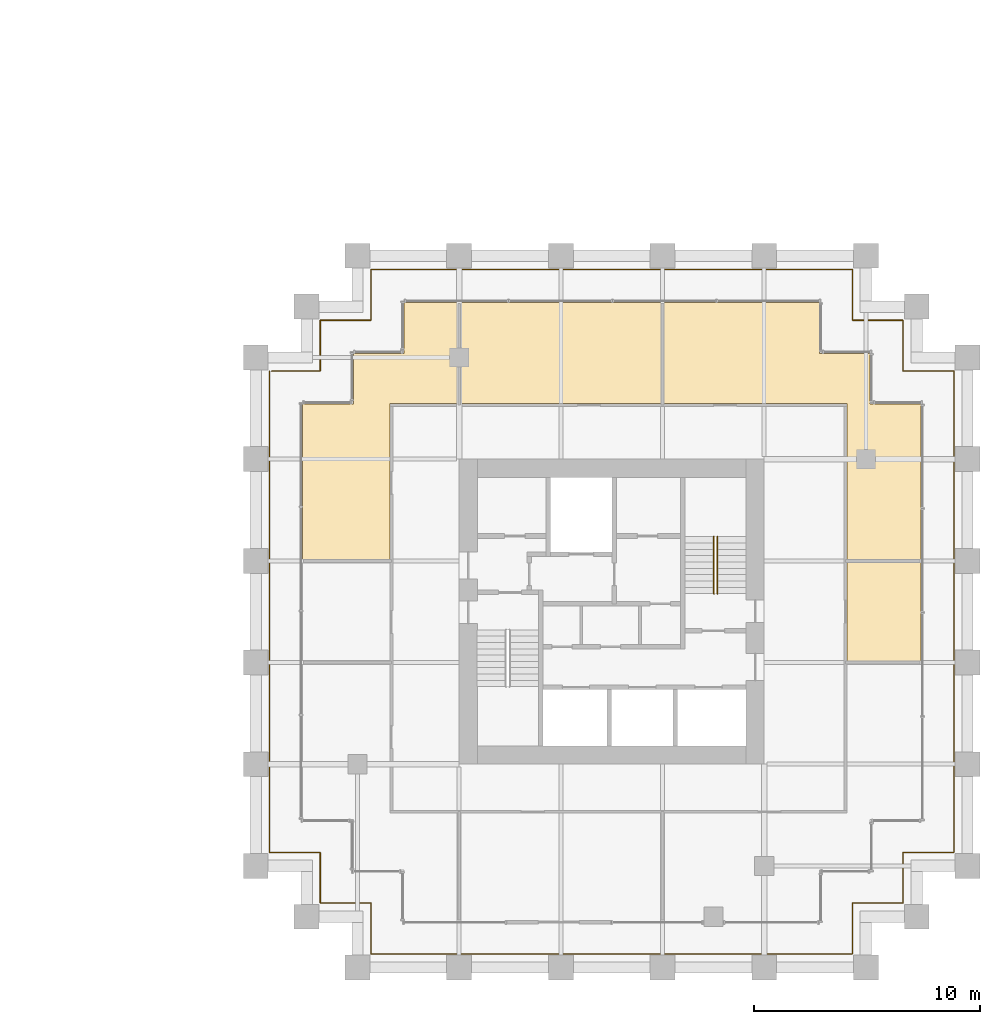
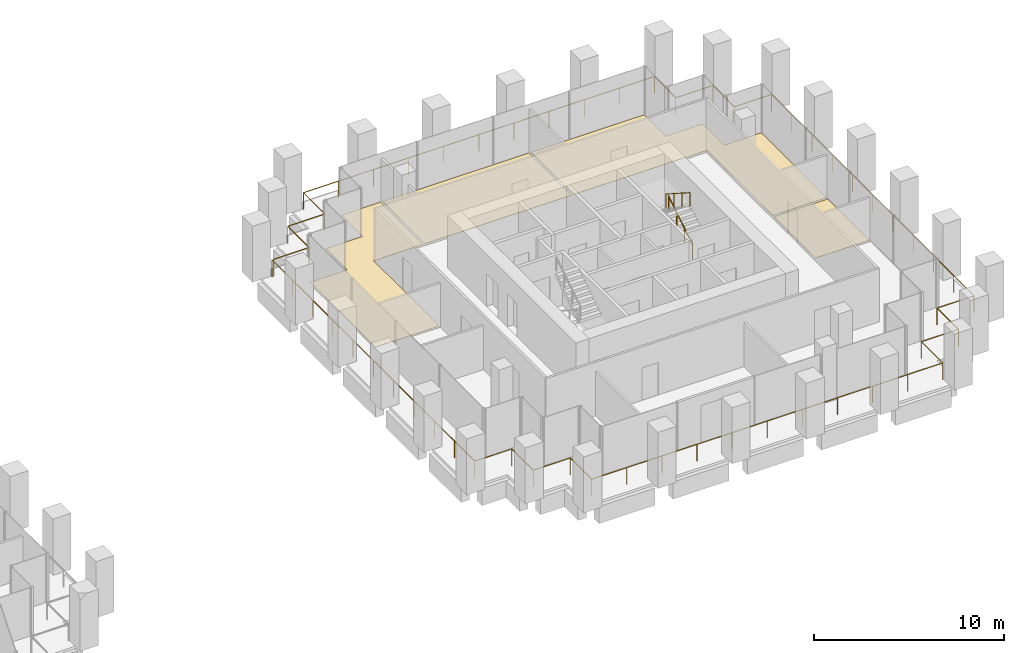
# One storey, part 56 of 56: 4 coverings, 3 railings.
"""IFC4 building model written with IfcOpenShell, lengths in metres."""

import ifcopenshell
import ifcopenshell.guid

model = None  # the IFC model being written
_history = None  # IfcOwnerHistory: only IFC2X3 demands one
_inside = {}  # id of a spatial element -> (the spatial element, [elements in it])
_under = {}  # id of a project, library or spatial element -> (it, [spatial elements below it])
_declared = {}  # id of a project -> (the project, [libraries it declares])
_typed = {}  # id of a type object -> (the type object, [elements of that type])
_made_of = {}  # id of a material, layer set ... -> (it, [elements and type objects made of it])


def new_model(schema):
    """Start an empty IFC model of exactly this schema.

    Asked for "IFC4X3", IfcOpenShell would pick the latest addendum, in which some entities
    have other attributes; the version numbers below select the first issue.
    IFC2X3 requires an IfcOwnerHistory on every rooted entity: one is made here for all.
    """
    global model, _history
    if schema == "IFC4X3":
        model = ifcopenshell.file(schema_version=(4, 3, 0, 0))
    else:
        model = ifcopenshell.file(schema=schema)
    _inside.clear()
    _under.clear()
    _declared.clear()
    _typed.clear()
    _made_of.clear()
    _history = None
    if model.schema == "IFC2X3":
        org = make("IfcOrganization", Name="unknown")
        user = make(
            "IfcPersonAndOrganization",
            ThePerson=make("IfcPerson", FamilyName="unknown"),
            TheOrganization=org,
        )
        app = make(
            "IfcApplication",
            ApplicationDeveloper=org,
            Version="unknown",
            ApplicationFullName="unknown",
            ApplicationIdentifier="unknown",
        )
        _history = make(
            "IfcOwnerHistory",
            OwningUser=user,
            OwningApplication=app,
            ChangeAction="ADDED",
            CreationDate=0,
        )
    return model


def make(cls, **values):
    """One entity of the class cls with the attributes given. An attribute that is None is left unset."""
    return model.create_entity(
        cls, **{name: value for name, value in values.items() if value is not None}
    )


def rooted(cls, **values):
    """An entity with a GlobalId (a new one), such as an element, a storey or a relation."""
    return make(cls, GlobalId=ifcopenshell.guid.new(), OwnerHistory=_history, **values)


def si_unit(unit_type, name, prefix=None):
    """IfcSIUnit, for example si_unit("LENGTHUNIT", "METRE", prefix="MILLI")."""
    return make("IfcSIUnit", UnitType=unit_type, Prefix=prefix, Name=name)


def assignment(units):
    """IfcUnitAssignment: the units of a project."""
    return None if units is None else make("IfcUnitAssignment", Units=units)


def point(xyz):
    """IfcCartesianPoint."""
    return None if xyz is None else make("IfcCartesianPoint", Coordinates=xyz)


def direction(xyz):
    """IfcDirection."""
    return None if xyz is None else make("IfcDirection", DirectionRatios=xyz)


def frame(location, z_axis=None, x_axis=None):
    """IfcAxis2Placement3D, a coordinate frame: its origin and axes. An axis left out is left unset."""
    return make(
        "IfcAxis2Placement3D",
        Location=point(location),
        Axis=direction(z_axis),
        RefDirection=direction(x_axis),
    )


def frame_2d(location, x_axis=None):
    """IfcAxis2Placement2D, a coordinate frame in the plane: its origin and x axis."""
    return make(
        "IfcAxis2Placement2D", Location=point(location), RefDirection=direction(x_axis)
    )


def origin():
    """The frame at (0, 0, 0) with its axes left unset."""
    return frame((0.0, 0.0, 0.0))


def origin_2d():
    """The frame at (0, 0) in the plane with its x axis left unset."""
    return frame_2d((0.0, 0.0))


def place(relative_to, where):
    """IfcLocalPlacement: puts the frame where relative to a parent placement (None: the world)."""
    return make(
        "IfcLocalPlacement", PlacementRelTo=relative_to, RelativePlacement=where
    )


def context(
    kind, dimensions, precision=None, world=None, true_north=None, identifier=None
):
    """IfcGeometricRepresentationContext, for example the 3D "Model" context."""
    return make(
        "IfcGeometricRepresentationContext",
        ContextIdentifier=identifier,
        ContextType=kind,
        CoordinateSpaceDimension=dimensions,
        Precision=precision,
        WorldCoordinateSystem=world,
        TrueNorth=true_north,
    )


def subcontext(parent, identifier, kind, view, scale=None):
    """IfcGeometricRepresentationSubContext, for example "Body" below "Model"."""
    return make(
        "IfcGeometricRepresentationSubContext",
        ContextIdentifier=identifier,
        ContextType=kind,
        ParentContext=parent,
        TargetScale=scale,
        TargetView=view,
    )


def project(units=None, contexts=None):
    """IfcProject with its units and contexts."""
    return rooted(
        "IfcProject",
        Name="project",
        RepresentationContexts=contexts,
        UnitsInContext=assignment(units),
    )


def spatial(cls, under=None, at=None, **own):
    """A site, building, storey or space (cls), placed at a placement, below another one or the project."""
    s = rooted(cls, ObjectPlacement=at, **own)
    if under is not None:
        _under.setdefault(under.id(), (under, []))[1].append(s)
    return s


def polyline(points):
    """IfcPolyline through the points."""
    return make("IfcPolyline", Points=[point(p) for p in points])


def profile(cls, at=None, kind="AREA", **sizes):
    """A parametric profile (cls). Its sizes go by their IFC names, for example OverallWidth=200.0."""
    return make(cls, ProfileType=kind, Position=at, **sizes)


def circle(**sizes):
    """IfcCircleProfileDef."""
    return profile("IfcCircleProfileDef", **sizes)


def outline(outer, holes=None, kind="AREA"):
    """IfcArbitraryClosedProfileDef: a profile drawn as a closed curve; with holes, ...WithVoids."""
    if holes is None:
        return make("IfcArbitraryClosedProfileDef", ProfileType=kind, OuterCurve=outer)
    return make(
        "IfcArbitraryProfileDefWithVoids",
        ProfileType=kind,
        OuterCurve=outer,
        InnerCurves=holes,
    )


def extrude(swept, where, along, depth):
    """IfcExtrudedAreaSolid: the profile swept, set in the frame where, extruded along a direction by depth."""
    return make(
        "IfcExtrudedAreaSolid",
        SweptArea=swept,
        Position=where,
        ExtrudedDirection=direction(along),
        Depth=depth,
    )


def shape(context_of_items, identifier, shape_type, items):
    """IfcShapeRepresentation: the items that make up one representation, for example the "Body"."""
    return make(
        "IfcShapeRepresentation",
        ContextOfItems=context_of_items,
        RepresentationIdentifier=identifier,
        RepresentationType=shape_type,
        Items=items,
    )


def source(mapping_origin, context_of_items, identifier, shape_type, items):
    """IfcRepresentationMap: a shape defined once, which mapped items show again and again."""
    return make(
        "IfcRepresentationMap",
        MappingOrigin=mapping_origin,
        MappedRepresentation=shape(context_of_items, identifier, shape_type, items),
    )


def transform(
    local_origin,
    x_axis=None,
    y_axis=None,
    z_axis=None,
    scale=None,
    scale2=None,
    scale3=None,
    uniform=True,
):
    """IfcCartesianTransformationOperator3D, or its non-uniform kind. x_axis, y_axis, z_axis: its Axis1, 2, 3."""
    if uniform:
        return make(
            "IfcCartesianTransformationOperator3D",
            Axis1=direction(x_axis),
            Axis2=direction(y_axis),
            LocalOrigin=point(local_origin),
            Scale=scale,
            Axis3=direction(z_axis),
        )
    return make(
        "IfcCartesianTransformationOperator3DnonUniform",
        Axis1=direction(x_axis),
        Axis2=direction(y_axis),
        LocalOrigin=point(local_origin),
        Scale=scale,
        Axis3=direction(z_axis),
        Scale2=scale2,
        Scale3=scale3,
    )


def mapped(mapping_source, mapping_target):
    """IfcMappedItem: shows the shape of a source again, moved by a transform."""
    return make(
        "IfcMappedItem", MappingSource=mapping_source, MappingTarget=mapping_target
    )


def material(Name=None, Category=None):
    """IfcMaterial."""
    return make("IfcMaterial", Name=Name, Category=Category)


def layer(
    of_material, thickness, ventilated=None, Name=None, Category=None, Priority=None
):
    """IfcMaterialLayer: one layer of a wall or slab, of a material (None: an air gap)."""
    return make(
        "IfcMaterialLayer",
        Material=of_material,
        LayerThickness=thickness,
        IsVentilated=ventilated,
        Name=Name,
        Category=Category,
        Priority=Priority,
    )


def layer_set(layers, Name=None):
    """IfcMaterialLayerSet."""
    return make("IfcMaterialLayerSet", MaterialLayers=layers, LayerSetName=Name)


def made_of(thing, what):
    """Note that an element or type object is made of a material, layer set ...; save() writes the relation."""
    if what is not None:
        _made_of.setdefault(what.id(), (what, []))[1].append(thing)
    return thing


def type_object(cls, material=None, **own):
    """A type object (cls), such as IfcWallType, which elements share."""
    return made_of(rooted(cls, **own), material)


def element(
    cls,
    number,
    at=None,
    inside=None,
    cuts=None,
    type_object=None,
    material=None,
    context=None,
    identifier="Body",
    shape_type=None,
    held_by="IfcProductDefinitionShape",
    body=None,
    shapes=None,
    **own,
):
    """One element of the class cls, such as IfcWall. Its Tag is "e" and its number.

    at: its placement. inside: the storey or other place that contains it. cuts: it is an
    opening in that element (IfcRelVoidsElement). A single representation is given by context,
    identifier, shape_type and body (its items); several are given by shapes. held_by: the class
    of the entity that holds the representations. save() writes the other relations.
    """
    e = rooted(cls, Tag="e%d" % number, ObjectPlacement=at, **own)
    if body is not None:
        shapes = [shape(context, identifier, shape_type, body)]
    if shapes is not None:
        e.Representation = make(held_by, Representations=shapes)
    if inside is not None:
        _inside.setdefault(inside.id(), (inside, []))[1].append(e)
    if cuts is not None:
        rooted(
            "IfcRelVoidsElement", RelatingBuildingElement=cuts, RelatedOpeningElement=e
        )
    if type_object is not None:
        _typed.setdefault(type_object.id(), (type_object, []))[1].append(e)
    return made_of(e, material)


def aggregate(whole, parts):
    """IfcRelAggregates: a whole, such as a stair, and the parts it consists of."""
    return rooted("IfcRelAggregates", RelatingObject=whole, RelatedObjects=parts)


def save(model, path):
    """Write the relations noted so far, then the file.

    IfcRelAggregates (storeys below a building ...), IfcRelContainedInSpatialStructure (elements
    in a storey), IfcRelDefinesByType, IfcRelAssociatesMaterial and IfcRelDeclares: one each for
    every whole, place, type object, material and project.
    """
    for whole, parts in _under.values():
        aggregate(whole, parts)
    for where, things in _inside.values():
        rooted(
            "IfcRelContainedInSpatialStructure",
            RelatedElements=things,
            RelatingStructure=where,
        )
    for kind, things in _typed.values():
        rooted("IfcRelDefinesByType", RelatedObjects=things, RelatingType=kind)
    for what, things in _made_of.values():
        rooted("IfcRelAssociatesMaterial", RelatedObjects=things, RelatingMaterial=what)
    for by, libraries in _declared.values():
        rooted("IfcRelDeclares", RelatingContext=by, RelatedDefinitions=libraries)
    model.write(path)


model = new_model("IFC4")

# Units and contexts
model_context = context("Model", 3, precision=1e-05, world=origin(), true_north=direction((0.0, 1.0)))
body_context = subcontext(model_context, "Body", "Model", "MODEL_VIEW")
ifc_project = project(units=[si_unit("LENGTHUNIT", "METRE"), si_unit("AREAUNIT", "SQUARE_METRE"), si_unit("VOLUMEUNIT", "CUBIC_METRE"), si_unit("PLANEANGLEUNIT", "RADIAN"), si_unit("MASSUNIT", "GRAM", prefix="KILO")], contexts=[model_context])

# Site, building, storey
site_placement = place(None, origin())
site = spatial("IfcSite", under=ifc_project, at=site_placement, CompositionType="ELEMENT")
building_placement = place(site_placement, origin())
building = spatial("IfcBuilding", under=site, at=building_placement, Name="Altepetl Exchange Towers", CompositionType="ELEMENT")
storey_placement = place(building_placement, frame((0.0, 0.0, 76.199951171875)))
storey = spatial("IfcBuildingStorey", under=building, at=storey_placement, Name="L18", CompositionType="ELEMENT", Elevation=76.199951171875)

# Coverings
ifc_material_1 = material(Name="Carpet tile")
ifc_layer = layer(ifc_material_1, 0.02001953125)
ifc_layer_set = layer_set([ifc_layer], Name="Carpet tile")
covering_type = type_object("IfcCoveringType", Name="Carpet tile floor", PredefinedType="FLOORING", material=ifc_layer_set)
covering_1_placement = place(storey_placement, origin())
element("IfcCovering", 1, at=covering_1_placement, inside=storey, type_object=covering_type, Name="Print room floor finish B18.04", PredefinedType="FLOORING", context=body_context, shape_type="SweptSolid", body=[
    extrude(outline(polyline([(123.9375, 44.9375), (120.66259765625, 44.9375), (120.66259765625, 40.5625), (123.9375, 40.5625), (123.9375, 44.9375)])), origin(), (0.0, 0.0, 1.0), 0.02001953125),
])
covering_2_placement = place(storey_placement, origin())
element("IfcCovering", 2, at=covering_2_placement, inside=storey, type_object=covering_type, Name="Open office floor finish B18.05", PredefinedType="FLOORING", context=body_context, shape_type="SweptSolid", body=[
    extrude(outline(polyline([(112.5625, 56.4375), (112.5625, 51.96240234375), (120.66259765625, 51.96240234375), (120.66259765625, 45.0625), (123.9375, 45.0625), (123.9375, 51.9375), (121.6875, 51.9375), (121.6875, 54.1875), (119.4375, 54.1875), (119.4375, 56.4375), (112.5625, 56.4375)])), origin(), (0.0, 0.0, 1.0), 0.02001953125),
])
covering_3_placement = place(storey_placement, origin())
element("IfcCovering", 3, at=covering_3_placement, inside=storey, type_object=covering_type, Name="Print room floor finish B18.06", PredefinedType="FLOORING", context=body_context, shape_type="SweptSolid", body=[
    extrude(outline(polyline([(103.5625, 56.4375), (103.5625, 51.96240234375), (112.4375, 51.96240234375), (112.4375, 56.4375), (103.5625, 56.4375)])), origin(), (0.0, 0.0, 1.0), 0.02001953125),
])
covering_4_placement = place(storey_placement, origin())
element("IfcCovering", 4, at=covering_4_placement, inside=storey, type_object=covering_type, Name="Huddle room floor finish B18.07", PredefinedType="FLOORING", context=body_context, shape_type="SweptSolid", body=[
    extrude(outline(polyline([(101.0625, 54.1875), (98.8125, 54.1875), (98.8125, 51.9375), (96.5625, 51.9375), (96.5625, 45.0625), (100.4375, 45.0625), (100.4375, 51.96240234375), (103.4375, 51.96240234375), (103.4375, 56.4375), (101.0625, 56.4375), (101.0625, 54.1875)])), origin(), (0.0, 0.0, 1.0), 0.02001953125),
])

# Railings
ifc_material_2 = material(Name="Steel S355", Category="steel")
railing_type_1 = type_object("IfcRailingType", Name="Guard 1100 steel posts and rail", PredefinedType="GUARDRAIL", material=ifc_material_2)
shared_shape_1 = source(origin(), body_context, "Body", "SweptSolid", [
    extrude(circle(Radius=0.02099609375, at=origin_2d()), origin(), (0.0, 0.0, 1.0), 1.052001953125),
])
railing_1_placement = place(storey_placement, frame((95.10009765625, 53.39990234375, 0.0)))
element("IfcRailing", 5, at=railing_1_placement, inside=storey, type_object=railing_type_1, Name="Loggia guard", PredefinedType="GUARDRAIL", context=body_context, shape_type="SweptSolid", body=[
    extrude(circle(Radius=0.02392578125, at=origin_2d()), frame((0.0, 0.0, 1.076171875), z_axis=(0.0, -1.0, 0.0), x_axis=(1.0, 0.0, 0.0)), (0.0, 0.0, 1.0), 21.2998046875),
    extrude(circle(Radius=0.02392578125, at=origin_2d()), frame((0.0, -21.2998046875, 1.076171875), z_axis=(1.0, 0.0, 0.0), x_axis=(0.0, 1.0, 0.0)), (0.0, 0.0, 1.0), 2.25),
    extrude(circle(Radius=0.02392578125, at=origin_2d()), frame((2.25, -21.2998046875, 1.076171875), z_axis=(0.0, -1.0, 0.0), x_axis=(1.0, 0.0, 0.0)), (0.0, 0.0, 1.0), 2.25),
    extrude(circle(Radius=0.02392578125, at=origin_2d()), frame((2.25, -23.5498046875, 1.076171875), z_axis=(1.0, 0.0, 0.0), x_axis=(0.0, 1.0, 0.0)), (0.0, 0.0, 1.0), 2.25),
    extrude(circle(Radius=0.02392578125, at=origin_2d()), frame((4.5, -23.5498046875, 1.076171875), z_axis=(0.0, -1.0, 0.0), x_axis=(1.0, 0.0, 0.0)), (0.0, 0.0, 1.0), 2.25),
    extrude(circle(Radius=0.02392578125, at=origin_2d()), frame((4.5, -25.7998046875, 1.076171875), z_axis=(1.0, 0.0, 0.0), x_axis=(0.0, 1.0, 0.0)), (0.0, 0.0, 1.0), 21.2998046875),
    extrude(circle(Radius=0.02392578125, at=origin_2d()), frame((25.7998046875, -25.7998046875, 1.076171875), z_axis=(0.0, 1.0, 0.0), x_axis=(-1.0, 0.0, 0.0)), (0.0, 0.0, 1.0), 2.25),
    extrude(circle(Radius=0.02392578125, at=origin_2d()), frame((25.7998046875, -23.5498046875, 1.076171875), z_axis=(1.0, 0.0, 0.0), x_axis=(0.0, 1.0, 0.0)), (0.0, 0.0, 1.0), 2.25),
    extrude(circle(Radius=0.02392578125, at=origin_2d()), frame((28.0498046875, -23.5498046875, 1.076171875), z_axis=(0.0, 1.0, 0.0), x_axis=(-1.0, 0.0, 0.0)), (0.0, 0.0, 1.0), 2.25),
    extrude(circle(Radius=0.02392578125, at=origin_2d()), frame((28.0498046875, -21.2998046875, 1.076171875), z_axis=(1.0, 0.0, 0.0), x_axis=(0.0, 1.0, 0.0)), (0.0, 0.0, 1.0), 2.25),
    extrude(circle(Radius=0.02392578125, at=origin_2d()), frame((30.2998046875, -21.2998046875, 1.076171875), z_axis=(0.0, 1.0, 0.0), x_axis=(-1.0, 0.0, 0.0)), (0.0, 0.0, 1.0), 21.2998046875),
    extrude(circle(Radius=0.02392578125, at=origin_2d()), frame((30.2998046875, 0.0, 1.076171875), z_axis=(-1.0, 0.0, 0.0), x_axis=(0.0, -1.0, 0.0)), (0.0, 0.0, 1.0), 2.25),
    extrude(circle(Radius=0.02392578125, at=origin_2d()), frame((28.0498046875, 0.0, 1.076171875), z_axis=(0.0, 1.0, 0.0), x_axis=(-1.0, 0.0, 0.0)), (0.0, 0.0, 1.0), 2.25),
    extrude(circle(Radius=0.02392578125, at=origin_2d()), frame((28.0498046875, 2.25, 1.076171875), z_axis=(-1.0, 0.0, 0.0), x_axis=(0.0, -1.0, 0.0)), (0.0, 0.0, 1.0), 2.25),
    extrude(circle(Radius=0.02392578125, at=origin_2d()), frame((25.7998046875, 2.25, 1.076171875), z_axis=(0.0, 1.0, 0.0), x_axis=(-1.0, 0.0, 0.0)), (0.0, 0.0, 1.0), 2.25),
    extrude(circle(Radius=0.02392578125, at=origin_2d()), frame((25.7998046875, 4.5, 1.076171875), z_axis=(-1.0, 0.0, 0.0), x_axis=(0.0, -1.0, 0.0)), (0.0, 0.0, 1.0), 21.2998046875),
    extrude(circle(Radius=0.02392578125, at=origin_2d()), frame((4.5, 4.5, 1.076171875), z_axis=(0.0, -1.0, 0.0), x_axis=(1.0, 0.0, 0.0)), (0.0, 0.0, 1.0), 2.25),
    extrude(circle(Radius=0.02392578125, at=origin_2d()), frame((4.5, 2.25, 1.076171875), z_axis=(-1.0, 0.0, 0.0), x_axis=(0.0, -1.0, 0.0)), (0.0, 0.0, 1.0), 2.25),
    extrude(circle(Radius=0.02392578125, at=origin_2d()), frame((2.25, 2.25, 1.076171875), z_axis=(0.0, -1.0, 0.0), x_axis=(1.0, 0.0, 0.0)), (0.0, 0.0, 1.0), 2.25),
    extrude(circle(Radius=0.02392578125, at=origin_2d()), frame((2.25, 0.0, 1.076171875), z_axis=(-1.0, 0.0, 0.0), x_axis=(0.0, -1.0, 0.0)), (0.0, 0.0, 1.0), 2.150146484375),
    mapped(shared_shape_1, transform((0.0, 0.0, 0.0))),
    mapped(shared_shape_1, transform((0.0, -2.1298828125, 0.0))),
    mapped(shared_shape_1, transform((0.0, -4.260009765625, 0.0))),
    mapped(shared_shape_1, transform((0.0, -6.389892578125, 0.0))),
    mapped(shared_shape_1, transform((0.0, -8.52001953125, 0.0))),
    mapped(shared_shape_1, transform((0.0, -10.64990234375, 0.0))),
    mapped(shared_shape_1, transform((0.0, -12.77978515625, 0.0))),
    mapped(shared_shape_1, transform((0.0, -14.909912109375, 0.0))),
    mapped(shared_shape_1, transform((0.0, -17.039794921875, 0.0))),
    mapped(shared_shape_1, transform((0.0, -19.169921875, 0.0))),
    mapped(shared_shape_1, transform((0.0, -21.2998046875, 0.0))),
    mapped(shared_shape_1, transform((2.25, -21.2998046875, 0.0))),
    mapped(shared_shape_1, transform((2.25, -23.5498046875, 0.0))),
    mapped(shared_shape_1, transform((4.5, -23.5498046875, 0.0))),
    mapped(shared_shape_1, transform((4.5, -25.7998046875, 0.0))),
    mapped(shared_shape_1, transform((6.6298828125, -25.7998046875, 0.0))),
    mapped(shared_shape_1, transform((8.760009765625, -25.7998046875, 0.0))),
    mapped(shared_shape_1, transform((10.889892578125, -25.7998046875, 0.0))),
    mapped(shared_shape_1, transform((13.02001953125, -25.7998046875, 0.0))),
    mapped(shared_shape_1, transform((15.14990234375, -25.7998046875, 0.0))),
    mapped(shared_shape_1, transform((17.27978515625, -25.7998046875, 0.0))),
    mapped(shared_shape_1, transform((19.409912109375, -25.7998046875, 0.0))),
    mapped(shared_shape_1, transform((21.539794921875, -25.7998046875, 0.0))),
    mapped(shared_shape_1, transform((23.669921875, -25.7998046875, 0.0))),
    mapped(shared_shape_1, transform((25.7998046875, -25.7998046875, 0.0))),
    mapped(shared_shape_1, transform((25.7998046875, -23.5498046875, 0.0))),
    mapped(shared_shape_1, transform((28.0498046875, -23.5498046875, 0.0))),
    mapped(shared_shape_1, transform((28.0498046875, -21.2998046875, 0.0))),
    mapped(shared_shape_1, transform((30.2998046875, -21.2998046875, 0.0))),
    mapped(shared_shape_1, transform((30.2998046875, -19.169921875, 0.0))),
    mapped(shared_shape_1, transform((30.2998046875, -17.039794921875, 0.0))),
    mapped(shared_shape_1, transform((30.2998046875, -14.909912109375, 0.0))),
    mapped(shared_shape_1, transform((30.2998046875, -12.77978515625, 0.0))),
    mapped(shared_shape_1, transform((30.2998046875, -10.64990234375, 0.0))),
    mapped(shared_shape_1, transform((30.2998046875, -8.52001953125, 0.0))),
    mapped(shared_shape_1, transform((30.2998046875, -6.389892578125, 0.0))),
    mapped(shared_shape_1, transform((30.2998046875, -4.260009765625, 0.0))),
    mapped(shared_shape_1, transform((30.2998046875, -2.1298828125, 0.0))),
    mapped(shared_shape_1, transform((30.2998046875, 0.0, 0.0))),
    mapped(shared_shape_1, transform((28.0498046875, 0.0, 0.0))),
    mapped(shared_shape_1, transform((28.0498046875, 2.25, 0.0))),
    mapped(shared_shape_1, transform((25.7998046875, 2.25, 0.0))),
    mapped(shared_shape_1, transform((25.7998046875, 4.5, 0.0))),
    mapped(shared_shape_1, transform((23.669921875, 4.5, 0.0))),
    mapped(shared_shape_1, transform((21.539794921875, 4.5, 0.0))),
    mapped(shared_shape_1, transform((19.409912109375, 4.5, 0.0))),
    mapped(shared_shape_1, transform((17.27978515625, 4.5, 0.0))),
    mapped(shared_shape_1, transform((15.14990234375, 4.5, 0.0))),
    mapped(shared_shape_1, transform((13.02001953125, 4.5, 0.0))),
    mapped(shared_shape_1, transform((10.889892578125, 4.5, 0.0))),
    mapped(shared_shape_1, transform((8.760009765625, 4.5, 0.0))),
    mapped(shared_shape_1, transform((6.6298828125, 4.5, 0.0))),
    mapped(shared_shape_1, transform((4.5, 4.5, 0.0))),
    mapped(shared_shape_1, transform((4.5, 2.25, 0.0))),
    mapped(shared_shape_1, transform((2.25, 2.25, 0.0))),
    mapped(shared_shape_1, transform((2.25, 0.0, 0.0))),
    mapped(shared_shape_1, transform((0.099853515625, 0.0, 0.0))),
])
ifc_material_3 = material(Name="Steel", Category="steel")
railing_type_2 = type_object("IfcRailingType", Name="Stair handrail 50 steel tube", PredefinedType="HANDRAIL", material=ifc_material_3)
shared_shape_2 = source(origin(), body_context, "Body", "SweptSolid", [
    extrude(circle(Radius=0.02099609375, at=origin_2d()), origin(), (0.0, 0.0, 1.0), 0.851806640625),
])
railing_2_placement = place(storey_placement, frame((114.929931640625, 43.550048828125, 0.179931640625)))
element("IfcRailing", 6, at=railing_2_placement, inside=storey, type_object=railing_type_2, Name="Stair handrail", PredefinedType="HANDRAIL", context=body_context, shape_type="SweptSolid", body=[
    extrude(circle(Radius=0.02392578125, at=origin_2d()), frame((0.0, 0.0, 0.8759765625), z_axis=(0.0, 0.841162588446, 0.540782303519), x_axis=(-1.0, 0.0, 0.0)), (0.0, 0.0, 1.0), 2.995849609375),
    mapped(shared_shape_2, transform((0.0, 0.0, 0.0))),
    mapped(shared_shape_2, transform((0.0, 0.840087890625, 0.5400390625))),
    mapped(shared_shape_2, transform((0.0, 1.679931640625, 1.080078125))),
    mapped(shared_shape_2, transform((0.0, 2.52001953125, 1.6201171875))),
])
railing_3_placement = place(storey_placement, frame((114.77001953125, 46.070068359375, 1.97998046875)))
element("IfcRailing", 7, at=railing_3_placement, inside=storey, type_object=railing_type_2, Name="Stair handrail", PredefinedType="HANDRAIL", context=body_context, shape_type="SweptSolid", body=[
    extrude(circle(Radius=0.02392578125, at=origin_2d()), frame((0.0, 0.0, 0.8759765625), z_axis=(0.0, -0.841162588446, 0.540782303519), x_axis=(1.0, 0.0, 0.0)), (0.0, 0.0, 1.0), 2.995849609375),
    mapped(shared_shape_2, transform((0.0, 0.0, 0.0))),
    mapped(shared_shape_2, transform((0.0, -0.840087890625, 0.5400390625))),
    mapped(shared_shape_2, transform((0.0, -1.679931640625, 1.080078125))),
    mapped(shared_shape_2, transform((0.0, -2.52001953125, 1.6201171875))),
])

save(model, "model.ifc")
